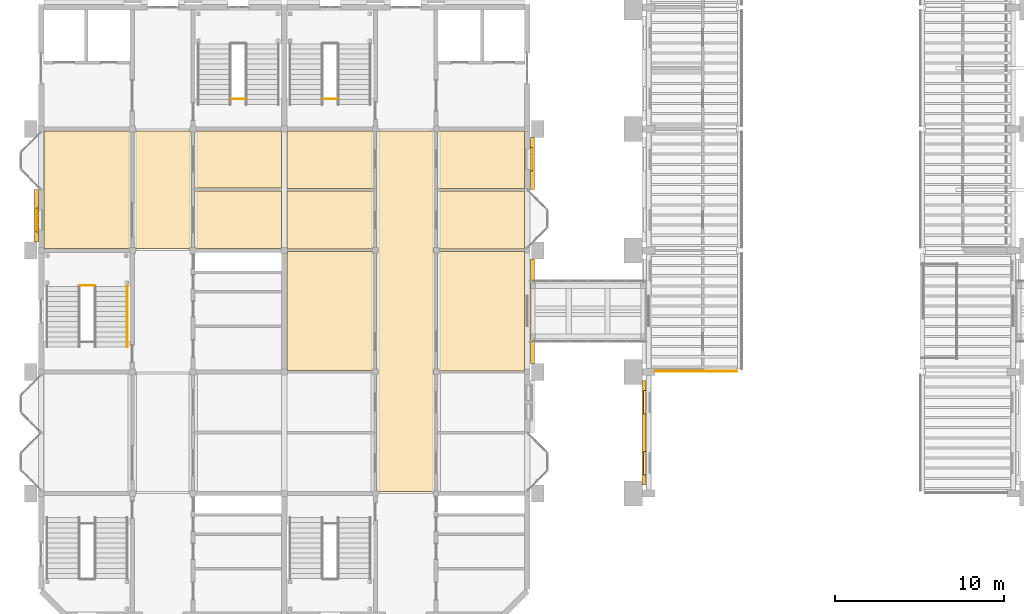
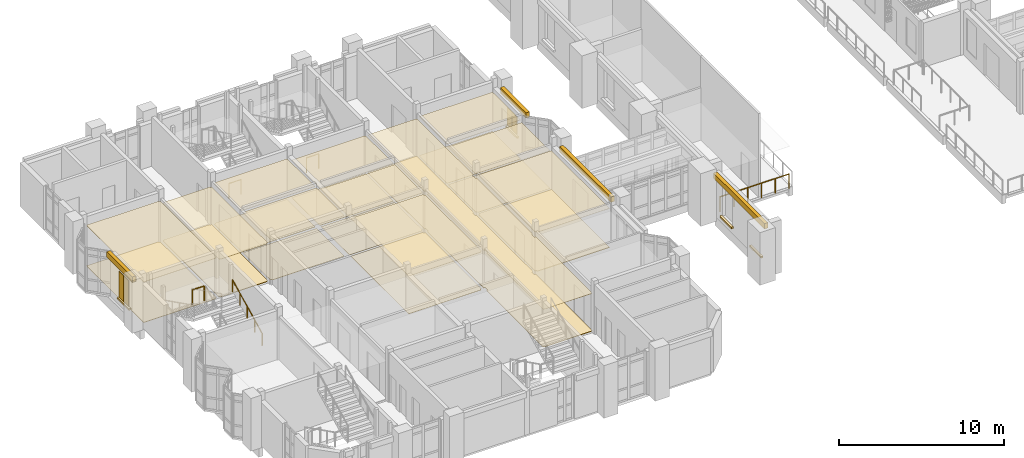
# One storey, part 59 of 69: 34 coverings, 5 railings.
"""IFC4 building model written with IfcOpenShell, lengths in metres."""

from ifc_helpers import new_model, si_unit, direction, frame, origin, origin_2d, place, context, subcontext, project, spatial, polyline, rectangle, circle, outline, extrude, material, layer, layer_set, type_object, element, save


model = new_model("IFC4")

# Units and contexts
model_context = context("Model", 3, precision=1e-05, world=origin(), true_north=direction((0.0, 1.0)))
body_context = subcontext(model_context, "Body", "Model", "MODEL_VIEW")
ifc_project = project(units=[si_unit("LENGTHUNIT", "METRE"), si_unit("AREAUNIT", "SQUARE_METRE"), si_unit("VOLUMEUNIT", "CUBIC_METRE"), si_unit("PLANEANGLEUNIT", "RADIAN"), si_unit("MASSUNIT", "GRAM", prefix="KILO")], contexts=[model_context])

# Site, building, storey
site_placement = place(None, origin())
site = spatial("IfcSite", under=ifc_project, at=site_placement, CompositionType="ELEMENT")
building_placement = place(site_placement, origin())
building = spatial("IfcBuilding", under=site, at=building_placement, Name="Mazhai Court Health Centre", CompositionType="ELEMENT")
storey_placement = place(building_placement, frame((0.0, 0.0, 6.300048828125)))
storey = spatial("IfcBuildingStorey", under=building, at=storey_placement, Name="L01", CompositionType="ELEMENT", Elevation=6.300048828125)

# Coverings
ifc_material_1 = material(Name="Clay brick masonry", Category="masonry")
ifc_layer_1 = layer(ifc_material_1, 0.25)
ifc_layer_set_1 = layer_set([ifc_layer_1], Name="BRICK BAND 250")
covering_type_1 = type_object("IfcCoveringType", Name="BRICK BAND 250", PredefinedType="MOLDING", material=ifc_layer_set_1)
covering_1_placement = place(storey_placement, frame((0.0, 0.0, 2.969970703125)))
element("IfcCovering", 1, at=covering_1_placement, inside=storey, type_object=covering_type_1, Name="EB-V2-L01-A3p0-0", PredefinedType="MOLDING", context=body_context, shape_type="SweptSolid", body=[
    extrude(outline(polyline([(6.034912109375, 28.300048828125), (6.034912109375, 31.39990234375), (5.784912109375, 31.39990234375), (5.784912109375, 28.300048828125), (6.034912109375, 28.300048828125)])), origin(), (0.0, 0.0, 1.0), 0.39990234375),
])
covering_2_placement = place(storey_placement, frame((0.0, 0.0, 2.969970703125)))
element("IfcCovering", 2, at=covering_2_placement, inside=storey, type_object=covering_type_1, Name="EB-V5-L01-B2p0-0", PredefinedType="MOLDING", context=body_context, shape_type="SweptSolid", body=[
    extrude(outline(polyline([(35.1650390625, 27.300048828125), (35.1650390625, 21.10009765625), (35.4150390625, 21.10009765625), (35.4150390625, 27.300048828125), (35.1650390625, 27.300048828125)])), origin(), (0.0, 0.0, 1.0), 0.39990234375),
])
covering_3_placement = place(storey_placement, frame((0.0, 0.0, 2.969970703125)))
element("IfcCovering", 3, at=covering_3_placement, inside=storey, type_object=covering_type_1, Name="EB-V5-L01-B3p1-0", PredefinedType="MOLDING", context=body_context, shape_type="SweptSolid", body=[
    extrude(outline(polyline([(35.1650390625, 34.5), (35.1650390625, 31.39990234375), (35.4150390625, 31.39990234375), (35.4150390625, 34.5), (35.1650390625, 34.5)])), origin(), (0.0, 0.0, 1.0), 0.39990234375),
])
covering_4_placement = place(storey_placement, frame((0.0, 0.0, 3.050048828125)))
element("IfcCovering", 4, at=covering_4_placement, inside=storey, type_object=covering_type_1, Name="EB-V1-L01-W0-0", PredefinedType="MOLDING", context=body_context, shape_type="SweptSolid", body=[
    extrude(outline(polyline([(42.034912109375, 13.89990234375), (42.034912109375, 20.10009765625), (41.784912109375, 20.10009765625), (41.784912109375, 13.89990234375), (42.034912109375, 13.89990234375)])), origin(), (0.0, 0.0, 1.0), 0.39990234375),
])
ifc_material_2 = material(Name="Clay brick masonry", Category="masonry")
ifc_layer_2 = layer(ifc_material_2, 0.14990234375)
ifc_layer_set_2 = layer_set([ifc_layer_2], Name="BRICK SILL COURSE 150")
covering_type_2 = type_object("IfcCoveringType", Name="BRICK SILL COURSE 150", PredefinedType="MOLDING", material=ifc_layer_set_2)
covering_5_placement = place(storey_placement, frame((0.0, 0.0, 0.47998046875)))
element("IfcCovering", 5, at=covering_5_placement, inside=storey, type_object=covering_type_2, Name="ES-WN-V2-L01-A30", PredefinedType="MOLDING", context=body_context, shape_type="SweptSolid", body=[
    extrude(outline(polyline([(6.034912109375, 28.89990234375), (6.034912109375, 30.300048828125), (5.885009765625, 30.300048828125), (5.885009765625, 28.89990234375), (6.034912109375, 28.89990234375)])), origin(), (0.0, 0.0, 1.0), 0.119873046875),
])
covering_6_placement = place(storey_placement, frame((0.0, 0.0, 0.780029296875)))
element("IfcCovering", 6, at=covering_6_placement, inside=storey, type_object=covering_type_2, Name="ES-WN-V5-L01-B31", PredefinedType="MOLDING", context=body_context, shape_type="SweptSolid", body=[
    extrude(outline(polyline([(35.1650390625, 33.89990234375), (35.1650390625, 32.5), (35.31494140625, 32.5), (35.31494140625, 33.89990234375), (35.1650390625, 33.89990234375)])), origin(), (0.0, 0.0, 1.0), 0.119873046875),
])
covering_7_placement = place(storey_placement, frame((0.0, 0.0, 0.47998046875)))
element("IfcCovering", 7, at=covering_7_placement, inside=storey, type_object=covering_type_2, Name="ES-WN-V1-L01-W0a", PredefinedType="MOLDING", context=body_context, shape_type="SweptSolid", body=[
    extrude(outline(polyline([(42.034912109375, 14.5), (42.034912109375, 15.89990234375), (41.885009765625, 15.89990234375), (41.885009765625, 14.5), (42.034912109375, 14.5)])), origin(), (0.0, 0.0, 1.0), 0.119873046875),
])
covering_8_placement = place(storey_placement, frame((0.0, 0.0, 0.47998046875)))
element("IfcCovering", 8, at=covering_8_placement, inside=storey, type_object=covering_type_2, Name="ES-WN-V1-L01-W0b", PredefinedType="MOLDING", context=body_context, shape_type="SweptSolid", body=[
    extrude(outline(polyline([(42.034912109375, 18.10009765625), (42.034912109375, 19.5), (41.885009765625, 19.5), (41.885009765625, 18.10009765625), (42.034912109375, 18.10009765625)])), origin(), (0.0, 0.0, 1.0), 0.119873046875),
])
ifc_material_3 = material(Name="Gypsum plasterboard ceiling")
ifc_layer_3 = layer(ifc_material_3, 0.02001953125)
ifc_layer_set_3 = layer_set([ifc_layer_3], Name="CEILING GYPSUM BOARD 20")
covering_type_3 = type_object("IfcCoveringType", Name="CEILING GYPSUM BOARD 20", PredefinedType="CEILING", material=ifc_layer_set_3)
covering_9_placement = place(storey_placement, frame((0.0, 0.0, 2.800048828125)))
element("IfcCovering", 9, at=covering_9_placement, inside=storey, type_object=covering_type_3, Name="ceil-V5-L01-A0-clinical-biochemistry-laboratory", PredefinedType="CEILING", context=body_context, shape_type="SweptSolid", body=[
    extrude(outline(polyline([(25.925048828125, 27.639892578125), (25.840087890625, 27.639892578125), (25.840087890625, 27.72509765625), (20.780029296875, 27.72509765625), (20.780029296875, 27.6201171875), (20.764892578125, 27.6201171875), (20.764892578125, 20.780029296875), (20.780029296875, 20.780029296875), (20.780029296875, 20.675048828125), (25.840087890625, 20.675048828125), (25.840087890625, 20.760009765625), (25.925048828125, 20.760009765625), (25.925048828125, 27.639892578125)])), origin(), (0.0, 0.0, 1.0), 0.02001953125),
])
covering_10_placement = place(storey_placement, frame((0.0, 0.0, 2.800048828125)))
element("IfcCovering", 10, at=covering_10_placement, inside=storey, type_object=covering_type_3, Name="ceil-V5-L01-A0-haematology-laboratory", PredefinedType="CEILING", context=body_context, shape_type="SweptSolid", body=[
    extrude(outline(polyline([(20.764892578125, 27.97998046875), (20.780029296875, 27.97998046875), (20.780029296875, 27.875), (25.840087890625, 27.875), (25.840087890625, 27.9599609375), (25.925048828125, 27.9599609375), (25.925048828125, 31.324951171875), (20.764892578125, 31.324951171875), (20.764892578125, 27.97998046875)])), origin(), (0.0, 0.0, 1.0), 0.02001953125),
])
covering_11_placement = place(storey_placement, frame((0.0, 0.0, 2.800048828125)))
element("IfcCovering", 11, at=covering_11_placement, inside=storey, type_object=covering_type_3, Name="ceil-V5-L01-A0-microbiology-laboratory", PredefinedType="CEILING", context=body_context, shape_type="SweptSolid", body=[
    extrude(outline(polyline([(25.925048828125, 34.840087890625), (25.840087890625, 34.840087890625), (25.840087890625, 34.875), (20.780029296875, 34.875), (20.780029296875, 34.820068359375), (20.764892578125, 34.820068359375), (20.764892578125, 31.47509765625), (25.925048828125, 31.47509765625), (25.925048828125, 34.840087890625)])), origin(), (0.0, 0.0, 1.0), 0.02001953125),
])
covering_12_placement = place(storey_placement, frame((0.0, 0.0, 2.800048828125)))
element("IfcCovering", 12, at=covering_12_placement, inside=storey, type_object=covering_type_3, Name="ceil-V5-L01-B0-dental-sterilisation-room", PredefinedType="CEILING", context=body_context, shape_type="SweptSolid", body=[
    extrude(outline(polyline([(29.675048828125, 27.9599609375), (29.760009765625, 27.9599609375), (29.760009765625, 27.875), (34.8349609375, 27.875), (34.8349609375, 31.324951171875), (29.675048828125, 31.324951171875), (29.675048828125, 27.9599609375)])), origin(), (0.0, 0.0, 1.0), 0.02001953125),
])
covering_13_placement = place(storey_placement, frame((0.0, 0.0, 2.89990234375)))
element("IfcCovering", 13, at=covering_13_placement, inside=storey, type_object=covering_type_3, Name="ceil-V5-L01-B0-dental-clinic-reception", PredefinedType="CEILING", context=body_context, shape_type="SweptSolid", body=[
    extrude(outline(polyline([(29.760009765625, 34.875), (29.760009765625, 34.840087890625), (29.675048828125, 34.840087890625), (29.675048828125, 31.47509765625), (34.8349609375, 31.47509765625), (34.8349609375, 34.875), (29.760009765625, 34.875)])), origin(), (0.0, 0.0, 1.0), 0.02001953125),
])
ifc_material_4 = material(Name="Mineral fibre ceiling tile")
ifc_layer_4 = layer(ifc_material_4, 0.014892578125)
ifc_layer_set_4 = layer_set([ifc_layer_4], Name="CEILING MINERAL FIBRE TILE 15")
covering_type_4 = type_object("IfcCoveringType", Name="CEILING MINERAL FIBRE TILE 15", PredefinedType="CEILING", material=ifc_layer_set_4)
covering_14_placement = place(storey_placement, frame((0.0, 0.0, 2.89990234375)))
element("IfcCovering", 14, at=covering_14_placement, inside=storey, type_object=covering_type_4, Name="ceil-V5-L01-B0-diagnostic-link-lobby", PredefinedType="CEILING", context=body_context, shape_type="SweptSolid", body=[
    extrude(outline(polyline([(29.760009765625, 27.72509765625), (29.760009765625, 27.639892578125), (29.675048828125, 27.639892578125), (29.675048828125, 20.760009765625), (29.760009765625, 20.760009765625), (29.760009765625, 20.66259765625), (34.8349609375, 20.66259765625), (34.8349609375, 27.72509765625), (29.760009765625, 27.72509765625)])), origin(), (0.0, 0.0, 1.0), 0.01513671875),
])
covering_15_placement = place(storey_placement, frame((0.0, 0.0, 2.800048828125)))
element("IfcCovering", 15, at=covering_15_placement, inside=storey, type_object=covering_type_4, Name="ceil-V5-L01-corridor-0", PredefinedType="CEILING", context=body_context, shape_type="SweptSolid", body=[
    extrude(outline(polyline([(29.43994140625, 13.52490234375), (29.43994140625, 13.56005859375), (29.52490234375, 13.56005859375), (29.52490234375, 20.43994140625), (29.43994140625, 20.43994140625), (29.43994140625, 20.760009765625), (29.52490234375, 20.760009765625), (29.52490234375, 27.639892578125), (29.43994140625, 27.639892578125), (29.43994140625, 27.9599609375), (29.52490234375, 27.9599609375), (29.52490234375, 34.840087890625), (29.43994140625, 34.840087890625), (29.43994140625, 34.875), (26.159912109375, 34.875), (26.159912109375, 34.840087890625), (26.074951171875, 34.840087890625), (26.074951171875, 27.9599609375), (26.159912109375, 27.9599609375), (26.159912109375, 27.639892578125), (26.074951171875, 27.639892578125), (26.074951171875, 20.760009765625), (26.159912109375, 20.760009765625), (26.159912109375, 20.43994140625), (26.074951171875, 20.43994140625), (26.074951171875, 13.56005859375), (26.159912109375, 13.56005859375), (26.159912109375, 13.52490234375), (29.43994140625, 13.52490234375)])), origin(), (0.0, 0.0, 1.0), 0.014892578125),
])
ifc_material_5 = material(Name="Sealed gypsum plasterboard ceiling")
ifc_layer_5 = layer(ifc_material_5, 0.02490234375)
ifc_layer_set_5 = layer_set([ifc_layer_5], Name="CEILING SEALED GYPSUM BOARD 25")
covering_type_5 = type_object("IfcCoveringType", Name="CEILING SEALED GYPSUM BOARD 25", PredefinedType="CEILING", material=ifc_layer_set_5)
covering_16_placement = place(storey_placement, frame((0.0, 0.0, 3.0)))
element("IfcCovering", 16, at=covering_16_placement, inside=storey, type_object=covering_type_5, Name="ceil-V2-L01-A1-operating-theatre-2", PredefinedType="CEILING", context=body_context, shape_type="SweptSolid", body=[
    extrude(outline(polyline([(11.512451171875, 34.820068359375), (11.419921875, 34.820068359375), (11.419921875, 34.875), (6.3798828125, 34.875), (6.3798828125, 34.820068359375), (6.364990234375, 34.820068359375), (6.364990234375, 27.97998046875), (6.3798828125, 27.97998046875), (6.3798828125, 27.925048828125), (11.419921875, 27.925048828125), (11.419921875, 27.97998046875), (11.512451171875, 27.97998046875), (11.512451171875, 34.820068359375)])), origin(), (0.0, 0.0, 1.0), 0.02490234375),
])
covering_17_placement = place(storey_placement, frame((0.0, 0.0, 3.0)))
element("IfcCovering", 17, at=covering_17_placement, inside=storey, type_object=covering_type_5, Name="ceil-V2-L01-B1-sterile-store", PredefinedType="CEILING", context=body_context, shape_type="SweptSolid", body=[
    extrude(outline(polyline([(15.28759765625, 27.97998046875), (15.3798828125, 27.97998046875), (15.3798828125, 27.925048828125), (20.419921875, 27.925048828125), (20.419921875, 27.97998046875), (20.43505859375, 27.97998046875), (20.43505859375, 31.3125), (15.28759765625, 31.3125), (15.28759765625, 27.97998046875)])), origin(), (0.0, 0.0, 1.0), 0.02490234375),
])
covering_18_placement = place(storey_placement, frame((0.0, 0.0, 3.0)))
element("IfcCovering", 18, at=covering_18_placement, inside=storey, type_object=covering_type_5, Name="ceil-V2-L01-B1-clean-utility", PredefinedType="CEILING", context=body_context, shape_type="SweptSolid", body=[
    extrude(outline(polyline([(20.43505859375, 34.820068359375), (20.419921875, 34.820068359375), (20.419921875, 34.875), (15.3798828125, 34.875), (15.3798828125, 34.820068359375), (15.28759765625, 34.820068359375), (15.28759765625, 31.487548828125), (20.43505859375, 31.487548828125), (20.43505859375, 34.820068359375)])), origin(), (0.0, 0.0, 1.0), 0.02490234375),
])
covering_19_placement = place(storey_placement, frame((0.0, 0.0, 2.800048828125)))
element("IfcCovering", 19, at=covering_19_placement, inside=storey, type_object=covering_type_5, Name="ceil-V2-L01-corridor-1", PredefinedType="CEILING", context=body_context, shape_type="SweptSolid", body=[
    extrude(outline(polyline([(15.02001953125, 27.925048828125), (15.02001953125, 27.97998046875), (15.112548828125, 27.97998046875), (15.112548828125, 34.820068359375), (15.02001953125, 34.820068359375), (15.02001953125, 34.875), (11.780029296875, 34.875), (11.780029296875, 34.820068359375), (11.6875, 34.820068359375), (11.6875, 27.97998046875), (11.780029296875, 27.97998046875), (11.780029296875, 27.925048828125), (15.02001953125, 27.925048828125)])), origin(), (0.0, 0.0, 1.0), 0.02490234375),
])
ifc_material_6 = material(Name="Antistatic vinyl flooring")
ifc_layer_6 = layer(ifc_material_6, 0.02001953125)
ifc_layer_set_6 = layer_set([ifc_layer_6], Name="FLOOR FINISH ANTISTATIC VINYL FLOORING 20")
covering_type_6 = type_object("IfcCoveringType", Name="FLOOR FINISH ANTISTATIC VINYL FLOORING 20", PredefinedType="FLOORING", material=ifc_layer_set_6)
covering_20_placement = place(storey_placement, origin())
element("IfcCovering", 20, at=covering_20_placement, inside=storey, type_object=covering_type_6, Name="floor-V2-L01-A1-operating-theatre-2", PredefinedType="FLOORING", context=body_context, shape_type="SweptSolid", body=[
    extrude(outline(polyline([(11.512451171875, 34.820068359375), (11.419921875, 34.820068359375), (11.419921875, 34.875), (6.3798828125, 34.875), (6.3798828125, 34.820068359375), (6.364990234375, 34.820068359375), (6.364990234375, 27.97998046875), (6.3798828125, 27.97998046875), (6.3798828125, 27.925048828125), (11.419921875, 27.925048828125), (11.419921875, 27.97998046875), (11.512451171875, 27.97998046875), (11.512451171875, 34.820068359375)])), origin(), (0.0, 0.0, 1.0), 0.02001953125),
])
covering_21_placement = place(storey_placement, origin())
element("IfcCovering", 21, at=covering_21_placement, inside=storey, type_object=covering_type_6, Name="floor-V2-L01-B1-sterile-store", PredefinedType="FLOORING", context=body_context, shape_type="SweptSolid", body=[
    extrude(outline(polyline([(15.28759765625, 27.97998046875), (15.3798828125, 27.97998046875), (15.3798828125, 27.925048828125), (20.419921875, 27.925048828125), (20.419921875, 27.97998046875), (20.43505859375, 27.97998046875), (20.43505859375, 31.3125), (15.28759765625, 31.3125), (15.28759765625, 27.97998046875)])), origin(), (0.0, 0.0, 1.0), 0.02001953125),
])
covering_22_placement = place(storey_placement, origin())
element("IfcCovering", 22, at=covering_22_placement, inside=storey, type_object=covering_type_6, Name="floor-V2-L01-B1-clean-utility", PredefinedType="FLOORING", context=body_context, shape_type="SweptSolid", body=[
    extrude(outline(polyline([(20.43505859375, 34.820068359375), (20.419921875, 34.820068359375), (20.419921875, 34.875), (15.3798828125, 34.875), (15.3798828125, 34.820068359375), (15.28759765625, 34.820068359375), (15.28759765625, 31.487548828125), (20.43505859375, 31.487548828125), (20.43505859375, 34.820068359375)])), origin(), (0.0, 0.0, 1.0), 0.02001953125),
])
ifc_material_7 = material(Name="Heavy duty vinyl flooring")
ifc_layer_7 = layer(ifc_material_7, 0.02001953125)
ifc_layer_set_7 = layer_set([ifc_layer_7], Name="FLOOR FINISH HEAVY DUTY VINYL FLOORING 20")
covering_type_7 = type_object("IfcCoveringType", Name="FLOOR FINISH HEAVY DUTY VINYL FLOORING 20", PredefinedType="FLOORING", material=ifc_layer_set_7)
covering_23_placement = place(storey_placement, origin())
element("IfcCovering", 23, at=covering_23_placement, inside=storey, type_object=covering_type_7, Name="floor-V5-L01-A0-clinical-biochemistry-laboratory", PredefinedType="FLOORING", context=body_context, shape_type="SweptSolid", body=[
    extrude(outline(polyline([(25.925048828125, 27.639892578125), (25.840087890625, 27.639892578125), (25.840087890625, 27.72509765625), (20.780029296875, 27.72509765625), (20.780029296875, 27.6201171875), (20.764892578125, 27.6201171875), (20.764892578125, 20.780029296875), (20.780029296875, 20.780029296875), (20.780029296875, 20.675048828125), (25.840087890625, 20.675048828125), (25.840087890625, 20.760009765625), (25.925048828125, 20.760009765625), (25.925048828125, 27.639892578125)])), origin(), (0.0, 0.0, 1.0), 0.02001953125),
])
covering_24_placement = place(storey_placement, origin())
element("IfcCovering", 24, at=covering_24_placement, inside=storey, type_object=covering_type_7, Name="floor-V5-L01-A0-haematology-laboratory", PredefinedType="FLOORING", context=body_context, shape_type="SweptSolid", body=[
    extrude(outline(polyline([(20.764892578125, 27.97998046875), (20.780029296875, 27.97998046875), (20.780029296875, 27.875), (25.840087890625, 27.875), (25.840087890625, 27.9599609375), (25.925048828125, 27.9599609375), (25.925048828125, 31.324951171875), (20.764892578125, 31.324951171875), (20.764892578125, 27.97998046875)])), origin(), (0.0, 0.0, 1.0), 0.02001953125),
])
covering_25_placement = place(storey_placement, origin())
element("IfcCovering", 25, at=covering_25_placement, inside=storey, type_object=covering_type_7, Name="floor-V5-L01-A0-microbiology-laboratory", PredefinedType="FLOORING", context=body_context, shape_type="SweptSolid", body=[
    extrude(outline(polyline([(25.925048828125, 34.840087890625), (25.840087890625, 34.840087890625), (25.840087890625, 34.875), (20.780029296875, 34.875), (20.780029296875, 34.820068359375), (20.764892578125, 34.820068359375), (20.764892578125, 31.47509765625), (25.925048828125, 31.47509765625), (25.925048828125, 34.840087890625)])), origin(), (0.0, 0.0, 1.0), 0.02001953125),
])
covering_26_placement = place(storey_placement, origin())
element("IfcCovering", 26, at=covering_26_placement, inside=storey, type_object=covering_type_7, Name="floor-V5-L01-B0-dental-sterilisation-room", PredefinedType="FLOORING", context=body_context, shape_type="SweptSolid", body=[
    extrude(outline(polyline([(29.675048828125, 27.9599609375), (29.760009765625, 27.9599609375), (29.760009765625, 27.875), (34.8349609375, 27.875), (34.8349609375, 31.324951171875), (29.675048828125, 31.324951171875), (29.675048828125, 27.9599609375)])), origin(), (0.0, 0.0, 1.0), 0.02001953125),
])
ifc_material_8 = material(Name="Linoleum flooring")
ifc_layer_8 = layer(ifc_material_8, 0.02001953125)
ifc_layer_set_8 = layer_set([ifc_layer_8], Name="FLOOR FINISH LINOLEUM FLOORING 20")
covering_type_8 = type_object("IfcCoveringType", Name="FLOOR FINISH LINOLEUM FLOORING 20", PredefinedType="FLOORING", material=ifc_layer_set_8)
covering_27_placement = place(storey_placement, origin())
element("IfcCovering", 27, at=covering_27_placement, inside=storey, type_object=covering_type_8, Name="floor-V5-L01-B0-dental-clinic-reception", PredefinedType="FLOORING", context=body_context, shape_type="SweptSolid", body=[
    extrude(outline(polyline([(29.760009765625, 34.875), (29.760009765625, 34.840087890625), (29.675048828125, 34.840087890625), (29.675048828125, 31.47509765625), (34.8349609375, 31.47509765625), (34.8349609375, 34.875), (29.760009765625, 34.875)])), origin(), (0.0, 0.0, 1.0), 0.02001953125),
])
ifc_material_9 = material(Name="Terrazzo flooring")
ifc_layer_9 = layer(ifc_material_9, 0.0400390625)
ifc_layer_set_9 = layer_set([ifc_layer_9], Name="FLOOR FINISH TERRAZZO FLOORING 40")
covering_type_9 = type_object("IfcCoveringType", Name="FLOOR FINISH TERRAZZO FLOORING 40", PredefinedType="FLOORING", material=ifc_layer_set_9)
covering_28_placement = place(storey_placement, origin())
element("IfcCovering", 28, at=covering_28_placement, inside=storey, type_object=covering_type_9, Name="floor-V5-L01-B0-diagnostic-link-lobby", PredefinedType="FLOORING", context=body_context, shape_type="SweptSolid", body=[
    extrude(outline(polyline([(29.760009765625, 27.72509765625), (29.760009765625, 27.639892578125), (29.675048828125, 27.639892578125), (29.675048828125, 20.760009765625), (29.760009765625, 20.760009765625), (29.760009765625, 20.66259765625), (34.8349609375, 20.66259765625), (34.8349609375, 27.72509765625), (29.760009765625, 27.72509765625)])), origin(), (0.0, 0.0, 1.0), 0.0400390625),
])
covering_29_placement = place(storey_placement, origin())
element("IfcCovering", 29, at=covering_29_placement, inside=storey, type_object=covering_type_9, Name="floor-V2-L01-corridor-1", PredefinedType="FLOORING", context=body_context, shape_type="SweptSolid", body=[
    extrude(outline(polyline([(15.02001953125, 27.925048828125), (15.02001953125, 27.97998046875), (15.112548828125, 27.97998046875), (15.112548828125, 34.820068359375), (15.02001953125, 34.820068359375), (15.02001953125, 34.875), (11.780029296875, 34.875), (11.780029296875, 34.820068359375), (11.6875, 34.820068359375), (11.6875, 27.97998046875), (11.780029296875, 27.97998046875), (11.780029296875, 27.925048828125), (15.02001953125, 27.925048828125)])), origin(), (0.0, 0.0, 1.0), 0.0400390625),
])
covering_30_placement = place(storey_placement, origin())
element("IfcCovering", 30, at=covering_30_placement, inside=storey, type_object=covering_type_9, Name="floor-V5-L01-corridor-0", PredefinedType="FLOORING", context=body_context, shape_type="SweptSolid", body=[
    extrude(outline(polyline([(29.43994140625, 13.52490234375), (29.43994140625, 13.56005859375), (29.52490234375, 13.56005859375), (29.52490234375, 20.43994140625), (29.43994140625, 20.43994140625), (29.43994140625, 20.760009765625), (29.52490234375, 20.760009765625), (29.52490234375, 27.639892578125), (29.43994140625, 27.639892578125), (29.43994140625, 27.9599609375), (29.52490234375, 27.9599609375), (29.52490234375, 34.840087890625), (29.43994140625, 34.840087890625), (29.43994140625, 34.875), (26.159912109375, 34.875), (26.159912109375, 34.840087890625), (26.074951171875, 34.840087890625), (26.074951171875, 27.9599609375), (26.159912109375, 27.9599609375), (26.159912109375, 27.639892578125), (26.074951171875, 27.639892578125), (26.074951171875, 20.760009765625), (26.159912109375, 20.760009765625), (26.159912109375, 20.43994140625), (26.074951171875, 20.43994140625), (26.074951171875, 13.56005859375), (26.159912109375, 13.56005859375), (26.159912109375, 13.52490234375), (29.43994140625, 13.52490234375)])), origin(), (0.0, 0.0, 1.0), 0.0400390625),
])

# Railing
ifc_material_10 = material(Name="Teak timber", Category="wood")
railing_type_1 = type_object("IfcRailingType", Name="GUARD GALLERY 1100", PredefinedType="GUARDRAIL", material=ifc_material_10)
railing_1_placement = place(storey_placement, frame((42.570068359375, 20.64990234375, 0.0)))
element("IfcRailing", 31, at=railing_1_placement, inside=storey, type_object=railing_type_1, Name="GR-V1-L01-L01-W1-e206-9", PredefinedType="GUARDRAIL", context=body_context, shape_type="SweptSolid", body=[
    extrude(circle(Radius=0.02392578125, at=origin_2d()), frame((0.0, 0.0, 1.076171875), z_axis=(1.0, 0.0, 0.0), x_axis=(0.0, 1.0, 0.0)), (0.0, 0.0, 1.0), 4.83984375),
    extrude(circle(Radius=0.02099609375, at=origin_2d()), origin(), (0.0, 0.0, 1.0), 1.052001953125),
    extrude(circle(Radius=0.02099609375, at=origin_2d()), frame((0.968017578125, 0.0, 0.0)), (0.0, 0.0, 1.0), 1.052001953125),
    extrude(circle(Radius=0.02099609375, at=origin_2d()), frame((1.93603515625, 0.0, 0.0)), (0.0, 0.0, 1.0), 1.052001953125),
    extrude(circle(Radius=0.02099609375, at=origin_2d()), frame((2.90380859375, 0.0, 0.0)), (0.0, 0.0, 1.0), 1.052001953125),
    extrude(circle(Radius=0.02099609375, at=origin_2d()), frame((3.871826171875, 0.0, 0.0)), (0.0, 0.0, 1.0), 1.052001953125),
    extrude(circle(Radius=0.02099609375, at=origin_2d()), frame((4.83984375, 0.0, 0.0)), (0.0, 0.0, 1.0), 1.052001953125),
])

# Coverings
ifc_material_11 = material(Name="Aluminium louvre", Category="aluminium")
ifc_layer_10 = layer(ifc_material_11, 0.0400390625)
ifc_layer_set_10 = layer_set([ifc_layer_10], Name="SHUTTER LEAF 600x40")
covering_type_10 = type_object("IfcCoveringType", Name="SHUTTER LEAF 600x40", PredefinedType="CLADDING", material=ifc_layer_set_10)
for number, where, z_axis, x_axis, name in (
    (32, (5.955078125, 29.300048828125, 0.699951171875), (0.0, 0.0, 1.0), (0.0, 1.0, 0.0), "LV-V2-L01-A30a"),
    (33, (5.955078125, 29.89990234375, 0.699951171875), (0.0, 0.0, 1.0), (0.0, 1.0, 0.0), "LV-V2-L01-A30b"),
):
    element("IfcCovering", number, at=place(storey_placement, frame(where, z_axis=z_axis, x_axis=x_axis)), inside=storey, type_object=covering_type_10, Name=name, PredefinedType="CLADDING", context=body_context, shape_type="SweptSolid", body=[
        extrude(rectangle(XDim=0.60009765625, YDim=0.0400390625, at=origin_2d()), origin(), (0.0, 0.0, 1.0), 1.89990234375),
    ])
for number, where, z_axis, x_axis, name in (
    (34, (35.2451171875, 32.89990234375, 1.0), (0.0, 0.0, 1.0), (0.0, 1.0, 0.0), "LV-V5-L01-B31a"),
    (35, (35.2451171875, 33.5, 1.0), (0.0, 0.0, 1.0), (0.0, 1.0, 0.0), "LV-V5-L01-B31b"),
):
    element("IfcCovering", number, at=place(storey_placement, frame(where, z_axis=z_axis, x_axis=x_axis)), inside=storey, type_object=covering_type_10, Name=name, PredefinedType="CLADDING", context=body_context, shape_type="SweptSolid", body=[
        extrude(rectangle(XDim=0.60009765625, YDim=0.0400390625, at=origin_2d()), origin(), (0.0, 0.0, 1.0), 1.300048828125),
    ])

# Railings
ifc_material_12 = material(Name="Steel IS 2062 E250", Category="steel")
railing_type_2 = type_object("IfcRailingType", Name="STAIR GUARD 1100", PredefinedType="GUARDRAIL", material=ifc_material_12)
for number, where, name in (
    (36, (9.344970703125, 25.72509765625, 1.949951171875), "L01 ST2 stair guard 2"),
    (37, (18.304931640625, 36.77490234375, 0.0), "L01 ST3 stair guard 4"),
):
    element("IfcRailing", number, at=place(storey_placement, frame(where)), inside=storey, type_object=railing_type_2, Name=name, PredefinedType="GUARDRAIL", context=body_context, shape_type="SweptSolid", body=[
        extrude(circle(Radius=0.02392578125, at=origin_2d()), frame((0.0, 0.0, 1.076171875), z_axis=(-1.0, 0.0, 0.0), x_axis=(0.0, -1.0, 0.0)), (0.0, 0.0, 1.0), 0.849853515625),
        extrude(circle(Radius=0.02099609375, at=origin_2d()), origin(), (0.0, 0.0, 1.0), 1.052001953125),
        extrude(circle(Radius=0.02099609375, at=origin_2d()), frame((-0.849853515625, 0.0, 0.0)), (0.0, 0.0, 1.0), 1.052001953125),
    ])
railing_2_placement = place(storey_placement, frame((23.7451171875, 36.77490234375, 0.0)))
element("IfcRailing", 38, at=railing_2_placement, inside=storey, type_object=railing_type_2, Name="L01 ST5 stair guard 4", PredefinedType="GUARDRAIL", context=body_context, shape_type="SweptSolid", body=[
    extrude(circle(Radius=0.02392578125, at=origin_2d()), frame((0.0, 0.0, 1.076171875), z_axis=(-1.0, 0.0, 0.0), x_axis=(0.0, -1.0, 0.0)), (0.0, 0.0, 1.0), 0.85009765625),
    extrude(circle(Radius=0.02099609375, at=origin_2d()), origin(), (0.0, 0.0, 1.0), 1.052001953125),
    extrude(circle(Radius=0.02099609375, at=origin_2d()), frame((-0.85009765625, 0.0, 0.0)), (0.0, 0.0, 1.0), 1.052001953125),
])
ifc_material_13 = material(Name="Steel IS 2062 E250", Category="steel")
railing_type_3 = type_object("IfcRailingType", Name="STAIR HANDRAIL 900", PredefinedType="HANDRAIL", material=ifc_material_13)
railing_3_placement = place(storey_placement, frame((11.294921875, 22.074951171875, 0.14990234375)))
element("IfcRailing", 39, at=railing_3_placement, inside=storey, type_object=railing_type_3, Name="L01 ST2 stair handrail 1", PredefinedType="HANDRAIL", context=body_context, shape_type="SweptSolid", body=[
    extrude(circle(Radius=0.02392578125, at=origin_2d()), frame((0.0, 0.0, 0.8759765625), z_axis=(0.0, 0.894427191, 0.4472135955), x_axis=(-1.0, 0.0, 0.0)), (0.0, 0.0, 1.0), 4.025146484375),
    extrude(circle(Radius=0.02099609375, at=origin_2d()), origin(), (0.0, 0.0, 1.0), 0.851806640625),
    extrude(circle(Radius=0.02099609375, at=origin_2d()), frame((0.0, 0.89990234375, 0.449951171875)), (0.0, 0.0, 1.0), 0.851806640625),
    extrude(circle(Radius=0.02099609375, at=origin_2d()), frame((0.0, 1.800048828125, 0.89990234375)), (0.0, 0.0, 1.0), 0.851806640625),
    extrude(circle(Radius=0.02099609375, at=origin_2d()), frame((0.0, 2.7001953125, 1.35009765625)), (0.0, 0.0, 1.0), 0.851806640625),
    extrude(circle(Radius=0.02099609375, at=origin_2d()), frame((0.0, 3.60009765625, 1.800048828125)), (0.0, 0.0, 1.0), 0.851806640625),
])

save(model, "model.ifc")
